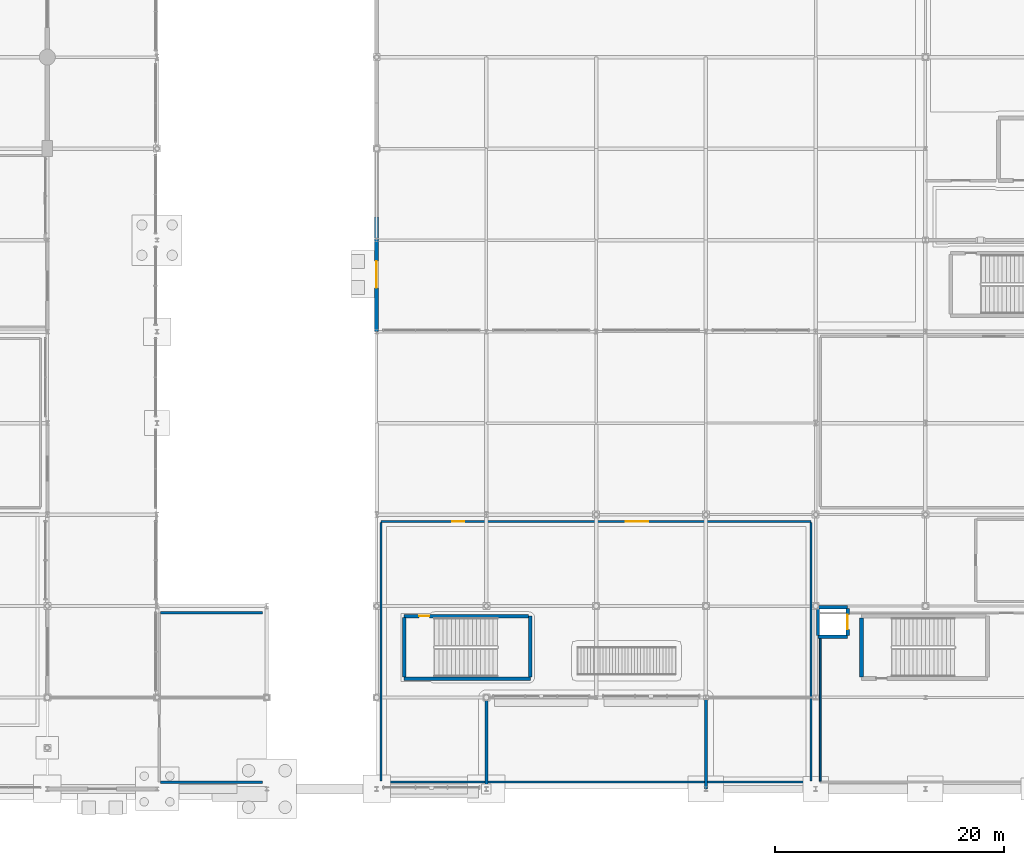
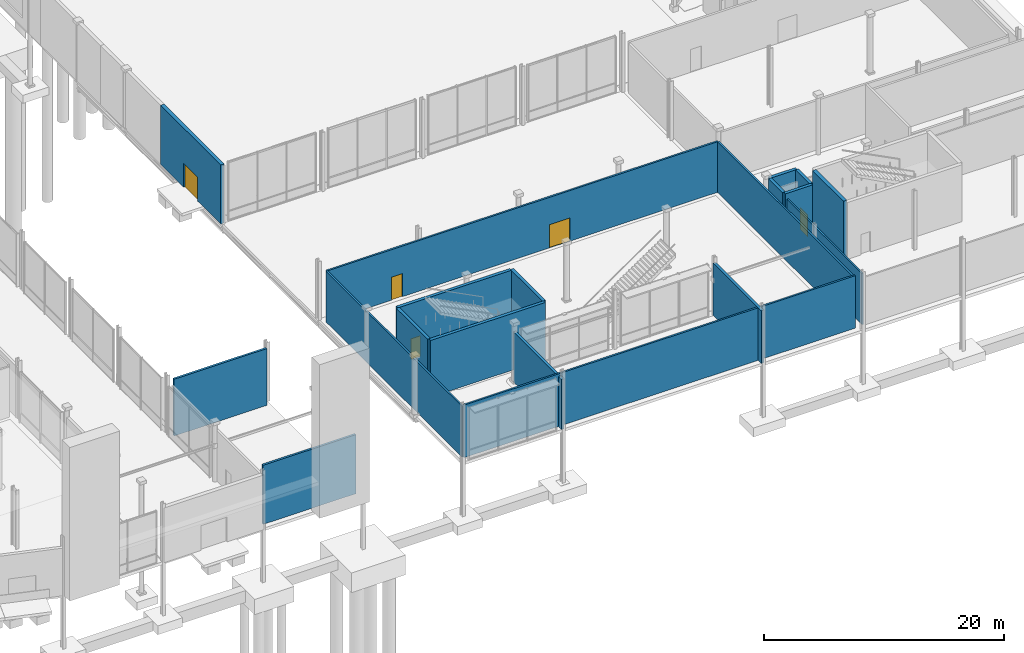
# One storey, part 80 of 124: 19 walls, 5 doors, 5 openings.
"""IFC4 building model written with IfcOpenShell, lengths in metres."""

from ifc_helpers import new_model, si_unit, direction, frame, frame_2d, origin, place, context, subcontext, project, spatial, rectangle, extrude, material, layer, layer_set, type_object, element, fill, save


model = new_model("IFC4")

# Units and contexts
model_context = context("Model", 3, precision=1e-05, world=origin(), true_north=direction((0.0, 1.0)))
body_context = subcontext(model_context, "Body", "Model", "MODEL_VIEW")
ifc_project = project(units=[si_unit("LENGTHUNIT", "METRE"), si_unit("AREAUNIT", "SQUARE_METRE"), si_unit("VOLUMEUNIT", "CUBIC_METRE"), si_unit("PLANEANGLEUNIT", "RADIAN"), si_unit("MASSUNIT", "GRAM", prefix="KILO")], contexts=[model_context])

# Site, building, storey
site_placement = place(None, origin())
site = spatial("IfcSite", under=ifc_project, at=site_placement, CompositionType="ELEMENT")
building_placement = place(site_placement, origin())
building = spatial("IfcBuilding", under=site, at=building_placement, Name="Danafjord Basin Convention Centre", CompositionType="ELEMENT")
storey_placement = place(building_placement, origin())
storey = spatial("IfcBuildingStorey", under=building, at=storey_placement, Name="L00", CompositionType="ELEMENT", Elevation=0.0)

# Walls
ifc_material_1 = material(Name="Concrete C40/50", Category="concrete")
ifc_layer_1 = layer(ifc_material_1, 0.300048828125)
ifc_layer_set_1 = layer_set([ifc_layer_1], Name="Concrete C40/50")
wall_type_1 = type_object("IfcWallType", Name="WALL-CW-CORE300", PredefinedType="SHEAR", material=ifc_layer_set_1)
wall_1_placement = place(storey_placement, frame((157.43994140625, 9.64990234375, 0.0), z_axis=(0.0, 0.0, 1.0), x_axis=(-1.0, 0.0, 0.0)))
element("IfcWall", 1, at=wall_1_placement, inside=storey, type_object=wall_type_1, Name="Harbour Pavilion West Escape Stair core shear wall (south)", PredefinedType="SHEAR", context=body_context, shape_type="SweptSolid", body=[
    extrude(rectangle(XDim=11.0400390625, YDim=0.300048828125, at=frame_2d((5.52001953125, 0.0))), origin(), (0.0, 0.0, 1.0), 5.77001953125),
])
wall_2_placement = place(storey_placement, frame((157.43994140625, 15.110107421875, 0.0), z_axis=(0.0, 0.0, 1.0), x_axis=(0.0, -1.0, 0.0)))
element("IfcWall", 2, at=wall_2_placement, inside=storey, type_object=wall_type_1, Name="Harbour Pavilion West Escape Stair core shear wall (east)", PredefinedType="SHEAR", context=body_context, shape_type="SweptSolid", body=[
    extrude(rectangle(XDim=5.3251953125, YDim=0.300048828125, at=frame_2d((2.66259765625, 0.0))), origin(), (0.0, 0.0, 1.0), 5.77001953125),
])

# Wall, opening, door
wall_3_placement = place(storey_placement, frame((146.39990234375, 15.110107421875, 0.0), z_axis=(0.0, 0.0, 1.0), x_axis=(1.0, 0.0, 0.0)))
wall_3 = element("IfcWall", 3, at=wall_3_placement, inside=storey, type_object=wall_type_1, Name="Harbour Pavilion West Escape Stair core shear wall (north)", PredefinedType="SHEAR", context=body_context, shape_type="SweptSolid", body=[
    extrude(rectangle(XDim=10.905029296875, YDim=0.300048828125, at=frame_2d((5.45263671875, 0.0))), origin(), (0.0, 0.0, 1.0), 5.77001953125),
])
opening_1_placement = place(wall_3_placement, frame((1.31103515625, 0.0, 0.0)))
opening_1 = element("IfcOpeningElement", 4, at=opening_1_placement, cuts=wall_3, Name="Opening FD-S01", PredefinedType="OPENING", context=body_context, shape_type="SweptSolid", body=[
    extrude(rectangle(XDim=0.909912109375, YDim=2.080078125, at=frame_2d((0.455078125, 1.0400390625))), frame((0.0, 0.159912109375, 0.0), z_axis=(0.0, -1.0, 0.0), x_axis=(1.0, 0.0, 0.0)), (0.0, 0.0, 1.0), 0.320068359375),
])
ifc_material_2 = material(Name="Powder-coated steel and Nordic oak", Category="steel")
door_type_1 = type_object("IfcDoorType", Name="DOOR-FD-S01", OperationType="NOTDEFINED", PredefinedType="DOOR", material=ifc_material_2)
door_1_placement = place(opening_1_placement, origin())
door_1 = element("IfcDoor", 5, at=door_1_placement, inside=storey, type_object=door_type_1, Name="Harbour Pavilion West Escape Stair L00 Fire Exit Door", OperationType="SINGLE_SWING_LEFT", OverallHeight=2.080078125, OverallWidth=0.909912109375, PredefinedType="DOOR", context=body_context, shape_type="SweptSolid", body=[
    extrude(rectangle(XDim=0.909912109375, YDim=2.080078125, at=frame_2d((0.455078125, 1.0400390625))), frame((0.0, 0.02490234375, 0.0), z_axis=(0.0, -1.0, 0.0), x_axis=(1.0, 0.0, 0.0)), (0.0, 0.0, 1.0), 0.050048828125),
])
fill(opening_1, door_1)

# Walls
wall_4_placement = place(storey_placement, frame((146.39990234375, 9.784912109375, 0.0), z_axis=(0.0, 0.0, 1.0), x_axis=(0.0, 1.0, 0.0)))
element("IfcWall", 6, at=wall_4_placement, inside=storey, type_object=wall_type_1, Name="Harbour Pavilion West Escape Stair core shear wall (west)", PredefinedType="SHEAR", context=body_context, shape_type="SweptSolid", body=[
    extrude(rectangle(XDim=5.190185546875, YDim=0.300048828125, at=frame_2d((2.59521484375, 0.0))), origin(), (0.0, 0.0, 1.0), 5.77001953125),
])
for number, where, z_axis, x_axis, name in (
    (7, (185.199951171875, 15.89990234375, 0.0), (0.0, 0.0, 1.0), (-1.0, 0.0, 0.0), "Lift LF-P06 shaft shear wall"),
    (8, (182.60009765625, 13.300048828125, 0.0), (0.0, 0.0, 1.0), (1.0, 0.0, 0.0), "Lift LF-P06 shaft shear wall"),
):
    element("IfcWall", number, at=place(storey_placement, frame(where, z_axis=z_axis, x_axis=x_axis)), inside=storey, type_object=wall_type_1, Name=name, PredefinedType="SHEAR", context=body_context, shape_type="SweptSolid", body=[
        extrude(rectangle(XDim=2.599853515625, YDim=0.300048828125, at=frame_2d((1.2998046875, 0.0))), origin(), (0.0, 0.0, 1.0), 5.77001953125),
    ])

# Wall, opening, door
wall_5_placement = place(storey_placement, frame((185.199951171875, 13.43505859375, 0.0), z_axis=(0.0, 0.0, 1.0), x_axis=(0.0, 1.0, 0.0)))
wall_5 = element("IfcWall", 9, at=wall_5_placement, inside=storey, type_object=wall_type_1, Name="Lift LF-P06 shaft shear wall", PredefinedType="SHEAR", context=body_context, shape_type="SweptSolid", body=[
    extrude(rectangle(XDim=2.329833984375, YDim=0.300048828125, at=frame_2d((1.1650390625, 0.0))), origin(), (0.0, 0.0, 1.0), 5.77001953125),
])
opening_2_placement = place(wall_5_placement, frame((0.514892578125, 0.0, 0.0)))
opening_2 = element("IfcOpeningElement", 10, at=opening_2_placement, cuts=wall_5, Name="Opening LD-P02", PredefinedType="OPENING", context=body_context, shape_type="SweptSolid", body=[
    extrude(rectangle(XDim=1.300048828125, YDim=2.219970703125, at=frame_2d((0.64990234375, 1.10986328125))), frame((0.0, 0.159912109375, 0.0), z_axis=(0.0, -1.0, 0.0), x_axis=(1.0, 0.0, 0.0)), (0.0, 0.0, 1.0), 0.320068359375),
])
ifc_material_3 = material(Name="Brushed stainless steel and acoustic laminated glass", Category="steel")
door_type_2 = type_object("IfcDoorType", Name="DOOR-LD-P02", OperationType="DOUBLE_DOOR_SLIDING", PredefinedType="DOOR", material=ifc_material_3)
door_2_placement = place(opening_2_placement, origin())
door_2 = element("IfcDoor", 11, at=door_2_placement, inside=storey, type_object=door_type_2, Name="Lift LF-P06 L00 Landing Door", OperationType="DOUBLE_DOOR_SLIDING", OverallHeight=2.219970703125, OverallWidth=1.300048828125, PredefinedType="DOOR", context=body_context, shape_type="SweptSolid", body=[
    extrude(rectangle(XDim=1.300048828125, YDim=2.219970703125, at=frame_2d((0.64990234375, 1.10986328125))), frame((0.0, 0.02490234375, 0.0), z_axis=(0.0, -1.0, 0.0), x_axis=(1.0, 0.0, 0.0)), (0.0, 0.0, 1.0), 0.050048828125),
])
fill(opening_2, door_2)

# Walls
wall_6_placement = place(storey_placement, frame((182.60009765625, 15.764892578125, 0.0), z_axis=(0.0, 0.0, 1.0), x_axis=(0.0, -1.0, 0.0)))
element("IfcWall", 12, at=wall_6_placement, inside=storey, type_object=wall_type_1, Name="Lift LF-P06 shaft shear wall", PredefinedType="SHEAR", context=body_context, shape_type="SweptSolid", body=[
    extrude(rectangle(XDim=2.329833984375, YDim=0.300048828125, at=frame_2d((1.1650390625, 0.0))), origin(), (0.0, 0.0, 1.0), 5.77001953125),
])
ifc_material_4 = material(Name="Concrete C45/55", Category="concrete")
ifc_layer_2 = layer(ifc_material_4, 0.35009765625)
ifc_layer_set_2 = layer_set([ifc_layer_2], Name="Concrete C45/55")
wall_type_2 = type_object("IfcWallType", Name="WALL-CW-CORE350", PredefinedType="SHEAR", material=ifc_layer_set_2)
wall_7_placement = place(storey_placement, frame((186.39990234375, 9.81005859375, 0.0), z_axis=(0.0, 0.0, 1.0), x_axis=(0.0, 1.0, 0.0)))
element("IfcWall", 13, at=wall_7_placement, inside=storey, type_object=wall_type_2, Name="Harbour Pavilion Core Stair 1 core shear wall (west)", PredefinedType="SHEAR", context=body_context, shape_type="SweptSolid", body=[
    extrude(rectangle(XDim=5.139892578125, YDim=0.35009765625, at=frame_2d((2.56982421875, 0.0))), origin(), (0.0, 0.0, 1.0), 5.77001953125),
])

# Wall, opening, door
ifc_material_5 = material(Name="Precast concrete C40/50", Category="concrete")
ifc_layer_3 = layer(ifc_material_5, 0.340087890625)
ifc_layer_set_3 = layer_set([ifc_layer_3], Name="Precast concrete C40/50")
wall_type_3 = type_object("IfcWallType", Name="WALL-EW-PC340", PredefinedType="SOLIDWALL", material=ifc_layer_set_3)
wall_8_placement = place(storey_placement, frame((144.0, 40.0, 0.0), z_axis=(0.0, 0.0, 1.0), x_axis=(0.0, 1.0, 0.0)))
wall_8 = element("IfcWall", 14, at=wall_8_placement, inside=storey, type_object=wall_type_3, Name="L00 east congress wing facade wall", PredefinedType="SOLIDWALL", context=body_context, shape_type="SweptSolid", body=[
    extrude(rectangle(XDim=10.0, YDim=0.340087890625, at=frame_2d((5.0, 0.0))), origin(), (0.0, 0.0, 1.0), 6.0),
])
opening_3_placement = place(wall_8_placement, frame((3.830078125, 0.0, 0.0)))
opening_3 = element("IfcOpeningElement", 15, at=opening_3_placement, cuts=wall_8, Name="Opening ED-01", PredefinedType="OPENING", context=body_context, shape_type="SweptSolid", body=[
    extrude(rectangle(XDim=2.340087890625, YDim=2.419921875, at=frame_2d((1.169921875, 1.2099609375))), frame((0.0, 0.179931640625, 0.0), z_axis=(0.0, -1.0, 0.0), x_axis=(1.0, 0.0, 0.0)), (0.0, 0.0, 1.0), 0.360107421875),
])
ifc_material_6 = material(Name="Thermally broken anodised aluminium and steel", Category="steel")
door_type_3 = type_object("IfcDoorType", Name="DOOR-ED-01", OperationType="DOUBLE_DOOR_SINGLE_SWING", PredefinedType="DOOR", material=ifc_material_6)
door_3_placement = place(opening_3_placement, origin())
door_3 = element("IfcDoor", 16, at=door_3_placement, inside=storey, type_object=door_type_3, Name="East Wing Exit Door", OperationType="DOUBLE_DOOR_SINGLE_SWING", OverallHeight=2.419921875, OverallWidth=2.340087890625, PredefinedType="DOOR", context=body_context, shape_type="SweptSolid", body=[
    extrude(rectangle(XDim=2.340087890625, YDim=2.419921875, at=frame_2d((1.169921875, 1.2099609375))), frame((0.0, 0.02490234375, 0.0), z_axis=(0.0, -1.0, 0.0), x_axis=(1.0, 0.0, 0.0)), (0.0, 0.0, 1.0), 0.050048828125),
])
fill(opening_3, door_3)

# Walls
ifc_material_7 = material(Name="Concrete C35/45", Category="concrete")
ifc_layer_4 = layer(ifc_material_7, 0.260009765625)
ifc_layer_set_4 = layer_set([ifc_layer_4], Name="Concrete C35/45")
wall_type_4 = type_object("IfcWallType", Name="WALL-EW-STD260", PredefinedType="STANDARD", material=ifc_layer_set_4)
wall_9_placement = place(storey_placement, frame((153.60009765625, 0.0, 0.0), z_axis=(0.0, 0.0, 1.0), x_axis=(0.0, 1.0, 0.0)))
element("IfcWall", 17, at=wall_9_placement, inside=storey, type_object=wall_type_4, Name="Harbour entry court west cheek wall", PredefinedType="STANDARD", context=body_context, shape_type="SweptSolid", body=[
    extrude(rectangle(XDim=8.0, YDim=0.260009765625, at=frame_2d((4.0, 0.0))), origin(), (0.0, 0.0, 1.0), 5.090087890625),
])
wall_10_placement = place(storey_placement, frame((172.800048828125, 0.0, 0.0), z_axis=(0.0, 0.0, 1.0), x_axis=(0.0, 1.0, 0.0)))
element("IfcWall", 18, at=wall_10_placement, inside=storey, type_object=wall_type_4, Name="Harbour entry court east cheek wall", PredefinedType="STANDARD", context=body_context, shape_type="SweptSolid", body=[
    extrude(rectangle(XDim=8.0, YDim=0.260009765625, at=frame_2d((4.0, 0.0))), origin(), (0.0, 0.0, 1.0), 5.340087890625),
])

# Wall, openings, doors
ifc_material_8 = material(Name="Acoustic double-board gypsum stud partition")
ifc_layer_5 = layer(ifc_material_8, 0.175048828125)
ifc_layer_set_5 = layer_set([ifc_layer_5], Name="Acoustic double-board gypsum stud partition")
wall_type_5 = type_object("IfcWallType", Name="WALL-PT-AC175", PredefinedType="PARTITIONING", material=ifc_layer_set_5)
wall_11_placement = place(storey_placement, frame((182.0, 23.39990234375, 0.0), z_axis=(0.0, 0.0, 1.0), x_axis=(-1.0, 0.0, 0.0)))
wall_11 = element("IfcWall", 19, at=wall_11_placement, inside=storey, type_object=wall_type_5, Name="Harbourfront Brasserie and Delegate Cafe north partition", PredefinedType="PARTITIONING", context=body_context, shape_type="SweptSolid", body=[
    extrude(rectangle(XDim=37.60009765625, YDim=0.175048828125, at=frame_2d((18.800048828125, 0.0))), origin(), (0.0, 0.0, 1.0), 5.139892578125),
])
opening_4_placement = place(wall_11_placement, frame((14.256103515625, 0.0, 0.0)))
opening_4 = element("IfcOpeningElement", 20, at=opening_4_placement, cuts=wall_11, Name="Opening FD-D10", PredefinedType="OPENING", context=body_context, shape_type="SweptSolid", body=[
    extrude(rectangle(XDim=1.9599609375, YDim=2.360107421875, at=frame_2d((0.97998046875, 1.18017578125))), frame((0.0, 0.097412109375, 0.0), z_axis=(0.0, -1.0, 0.0), x_axis=(1.0, 0.0, 0.0)), (0.0, 0.0, 1.0), 0.195068359375),
])
opening_5_placement = place(wall_11_placement, frame((30.3369140625, 0.0, 0.0)))
opening_5 = element("IfcOpeningElement", 21, at=opening_5_placement, cuts=wall_11, Name="Opening FD-S25", PredefinedType="OPENING", context=body_context, shape_type="SweptSolid", body=[
    extrude(rectangle(XDim=1.050048828125, YDim=2.35009765625, at=frame_2d((0.52490234375, 1.175048828125))), frame((0.0, 0.097412109375, 0.0), z_axis=(0.0, -1.0, 0.0), x_axis=(1.0, 0.0, 0.0)), (0.0, 0.0, 1.0), 0.195068359375),
])
door_type_4 = type_object("IfcDoorType", Name="DOOR-FD-D10", OperationType="DOUBLE_DOOR_SINGLE_SWING", PredefinedType="DOOR", material=ifc_material_3)
door_4_placement = place(opening_4_placement, origin())
door_4 = element("IfcDoor", 22, at=door_4_placement, inside=storey, type_object=door_type_4, Name="Harbourfront Brasserie and Delegate Cafe Entrance Door", OperationType="DOUBLE_DOOR_SINGLE_SWING", OverallHeight=2.360107421875, OverallWidth=1.9599609375, PredefinedType="DOOR", context=body_context, shape_type="SweptSolid", body=[
    extrude(rectangle(XDim=1.9599609375, YDim=2.360107421875, at=frame_2d((0.97998046875, 1.18017578125))), frame((0.0, 0.02490234375, 0.0), z_axis=(0.0, -1.0, 0.0), x_axis=(1.0, 0.0, 0.0)), (0.0, 0.0, 1.0), 0.050048828125),
])
fill(opening_4, door_4)
door_type_5 = type_object("IfcDoorType", Name="DOOR-FD-S25", OperationType="NOTDEFINED", PredefinedType="DOOR", material=ifc_material_2)
door_5_placement = place(opening_5_placement, origin())
door_5 = element("IfcDoor", 23, at=door_5_placement, inside=storey, type_object=door_type_5, Name="Harbourfront Brasserie and Delegate Cafe Secondary Exit Door", OperationType="SINGLE_SWING_LEFT", OverallHeight=2.35009765625, OverallWidth=1.050048828125, PredefinedType="DOOR", context=body_context, shape_type="SweptSolid", body=[
    extrude(rectangle(XDim=1.050048828125, YDim=2.35009765625, at=frame_2d((0.52490234375, 1.175048828125))), frame((0.0, 0.02490234375, 0.0), z_axis=(0.0, -1.0, 0.0), x_axis=(1.0, 0.0, 0.0)), (0.0, 0.0, 1.0), 0.050048828125),
])
fill(opening_5, door_5)

# Walls
wall_12_placement = place(storey_placement, frame((144.39990234375, 0.60009765625, 0.0), z_axis=(0.0, 0.0, 1.0), x_axis=(1.0, 0.0, 0.0)))
element("IfcWall", 24, at=wall_12_placement, inside=storey, type_object=wall_type_5, Name="Harbourfront Brasserie and Delegate Cafe south partition", PredefinedType="PARTITIONING", context=body_context, shape_type="SweptSolid", body=[
    extrude(rectangle(XDim=37.60009765625, YDim=0.175048828125, at=frame_2d((18.800048828125, 0.0))), origin(), (0.0, 0.0, 1.0), 5.340087890625),
])
wall_13_placement = place(storey_placement, frame((182.0, 0.69140625, 0.0), z_axis=(0.0, 0.0, 1.0), x_axis=(0.0, 1.0, 0.0)))
element("IfcWall", 25, at=wall_13_placement, inside=storey, type_object=wall_type_5, Name="Harbourfront Brasserie and Delegate Cafe east partition", PredefinedType="PARTITIONING", context=body_context, shape_type="SweptSolid", body=[
    extrude(rectangle(XDim=22.6171875, YDim=0.175048828125, at=frame_2d((11.30859375, 0.0))), origin(), (0.0, 0.0, 1.0), 5.139892578125),
])
wall_14_placement = place(storey_placement, frame((144.39990234375, 23.30859375, 0.0), z_axis=(0.0, 0.0, 1.0), x_axis=(0.0, -1.0, 0.0)))
element("IfcWall", 26, at=wall_14_placement, inside=storey, type_object=wall_type_5, Name="Harbourfront Brasserie and Delegate Cafe west partition", PredefinedType="PARTITIONING", context=body_context, shape_type="SweptSolid", body=[
    extrude(rectangle(XDim=22.6171875, YDim=0.175048828125, at=frame_2d((11.30859375, 0.0))), origin(), (0.0, 0.0, 1.0), 5.14990234375),
])
ifc_material_9 = material(Name="Fire-rated gypsum metal-stud partition")
ifc_layer_6 = layer(ifc_material_9, 0.14990234375)
ifc_layer_set_6 = layer_set([ifc_layer_6], Name="Fire-rated gypsum metal-stud partition")
wall_type_6 = type_object("IfcWallType", Name="WALL-PT-ST150", PredefinedType="PARTITIONING", material=ifc_layer_set_6)
wall_15_placement = place(storey_placement, frame((182.800048828125, 13.427001953125, 0.0), z_axis=(0.0, 0.0, 1.0), x_axis=(0.0, -1.0, 0.0)))
element("IfcWall", 27, at=wall_15_placement, inside=storey, type_object=wall_type_6, Name="Harbour Visitor Business Centre west partition", PredefinedType="PARTITIONING", context=body_context, shape_type="SweptSolid", body=[
    extrude(rectangle(XDim=12.748046875, YDim=0.14990234375, at=frame_2d((6.3740234375, 0.0))), origin(), (0.0, 0.0, 1.0), 5.18994140625),
])
ifc_layer_7 = layer(ifc_material_7, 0.205078125)
ifc_layer_set_7 = layer_set([ifc_layer_7], Name="Concrete C35/45")
wall_type_7 = type_object("IfcWallType", Name="WALL-W-COMP205", PredefinedType="SOLIDWALL", material=ifc_layer_set_7)
wall_16_placement = place(storey_placement, frame((125.1064453125, 0.60009765625, 0.0), z_axis=(0.0, 0.0, 1.0), x_axis=(1.0, 0.0, 0.0)))
element("IfcWall", 28, at=wall_16_placement, inside=storey, type_object=wall_type_7, Name="Ground Smoke Extract AHU Plant south partition", PredefinedType="SOLIDWALL", context=body_context, shape_type="SweptSolid", body=[
    extrude(rectangle(XDim=8.8935546875, YDim=0.205078125, at=frame_2d((4.44677734375, 0.0))), origin(), (0.0, 0.0, 1.0), 6.0),
])
wall_17_placement = place(storey_placement, frame((134.0, 15.39990234375, 0.0), z_axis=(0.0, 0.0, 1.0), x_axis=(-1.0, 0.0, 0.0)))
element("IfcWall", 29, at=wall_17_placement, inside=storey, type_object=wall_type_7, Name="Ground Smoke Extract AHU Plant north partition", PredefinedType="SOLIDWALL", context=body_context, shape_type="SweptSolid", body=[
    extrude(rectangle(XDim=8.8935546875, YDim=0.205078125, at=frame_2d((4.44677734375, 0.0))), origin(), (0.0, 0.0, 1.0), 5.77001953125),
])

save(model, "model.ifc")
